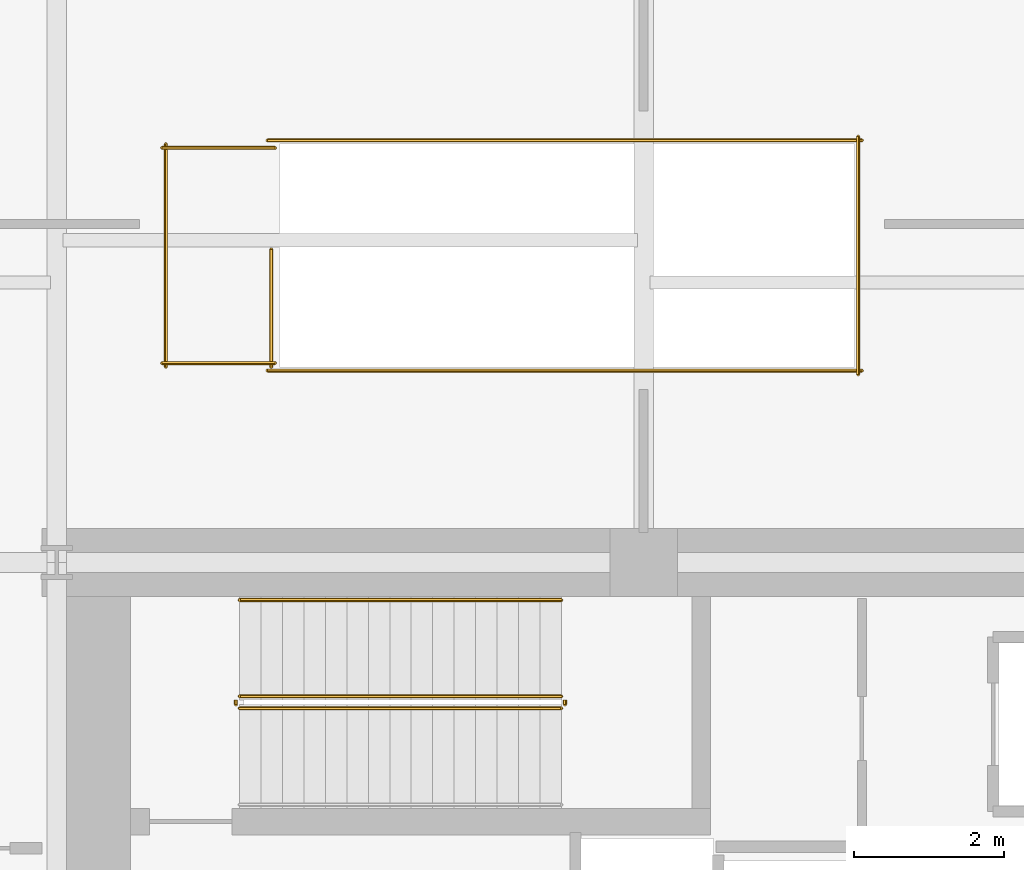
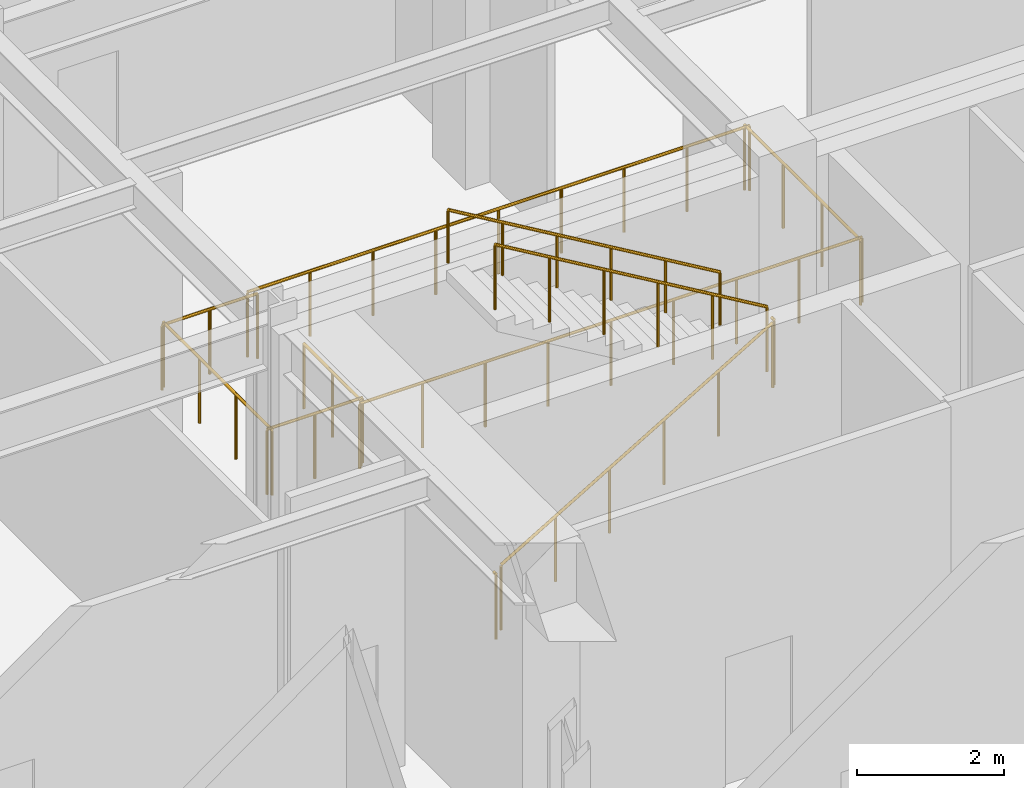
# One storey, part 14 of 14: 12 railings.
"""IFC4 building model written with IfcOpenShell, lengths in metres."""

import ifcopenshell
import ifcopenshell.guid

model = None  # the IFC model being written
_history = None  # IfcOwnerHistory: only IFC2X3 demands one
_inside = {}  # id of a spatial element -> (the spatial element, [elements in it])
_under = {}  # id of a project, library or spatial element -> (it, [spatial elements below it])
_declared = {}  # id of a project -> (the project, [libraries it declares])
_typed = {}  # id of a type object -> (the type object, [elements of that type])
_made_of = {}  # id of a material, layer set ... -> (it, [elements and type objects made of it])


def new_model(schema):
    """Start an empty IFC model of exactly this schema.

    Asked for "IFC4X3", IfcOpenShell would pick the latest addendum, in which some entities
    have other attributes; the version numbers below select the first issue.
    IFC2X3 requires an IfcOwnerHistory on every rooted entity: one is made here for all.
    """
    global model, _history
    if schema == "IFC4X3":
        model = ifcopenshell.file(schema_version=(4, 3, 0, 0))
    else:
        model = ifcopenshell.file(schema=schema)
    _inside.clear()
    _under.clear()
    _declared.clear()
    _typed.clear()
    _made_of.clear()
    _history = None
    if model.schema == "IFC2X3":
        org = make("IfcOrganization", Name="unknown")
        user = make(
            "IfcPersonAndOrganization",
            ThePerson=make("IfcPerson", FamilyName="unknown"),
            TheOrganization=org,
        )
        app = make(
            "IfcApplication",
            ApplicationDeveloper=org,
            Version="unknown",
            ApplicationFullName="unknown",
            ApplicationIdentifier="unknown",
        )
        _history = make(
            "IfcOwnerHistory",
            OwningUser=user,
            OwningApplication=app,
            ChangeAction="ADDED",
            CreationDate=0,
        )
    return model


def make(cls, **values):
    """One entity of the class cls with the attributes given. An attribute that is None is left unset."""
    return model.create_entity(
        cls, **{name: value for name, value in values.items() if value is not None}
    )


def rooted(cls, **values):
    """An entity with a GlobalId (a new one), such as an element, a storey or a relation."""
    return make(cls, GlobalId=ifcopenshell.guid.new(), OwnerHistory=_history, **values)


def si_unit(unit_type, name, prefix=None):
    """IfcSIUnit, for example si_unit("LENGTHUNIT", "METRE", prefix="MILLI")."""
    return make("IfcSIUnit", UnitType=unit_type, Prefix=prefix, Name=name)


def assignment(units):
    """IfcUnitAssignment: the units of a project."""
    return None if units is None else make("IfcUnitAssignment", Units=units)


def point(xyz):
    """IfcCartesianPoint."""
    return None if xyz is None else make("IfcCartesianPoint", Coordinates=xyz)


def direction(xyz):
    """IfcDirection."""
    return None if xyz is None else make("IfcDirection", DirectionRatios=xyz)


def frame(location, z_axis=None, x_axis=None):
    """IfcAxis2Placement3D, a coordinate frame: its origin and axes. An axis left out is left unset."""
    return make(
        "IfcAxis2Placement3D",
        Location=point(location),
        Axis=direction(z_axis),
        RefDirection=direction(x_axis),
    )


def frame_2d(location, x_axis=None):
    """IfcAxis2Placement2D, a coordinate frame in the plane: its origin and x axis."""
    return make(
        "IfcAxis2Placement2D", Location=point(location), RefDirection=direction(x_axis)
    )


def origin():
    """The frame at (0, 0, 0) with its axes left unset."""
    return frame((0.0, 0.0, 0.0))


def origin_2d():
    """The frame at (0, 0) in the plane with its x axis left unset."""
    return frame_2d((0.0, 0.0))


def place(relative_to, where):
    """IfcLocalPlacement: puts the frame where relative to a parent placement (None: the world)."""
    return make(
        "IfcLocalPlacement", PlacementRelTo=relative_to, RelativePlacement=where
    )


def context(
    kind, dimensions, precision=None, world=None, true_north=None, identifier=None
):
    """IfcGeometricRepresentationContext, for example the 3D "Model" context."""
    return make(
        "IfcGeometricRepresentationContext",
        ContextIdentifier=identifier,
        ContextType=kind,
        CoordinateSpaceDimension=dimensions,
        Precision=precision,
        WorldCoordinateSystem=world,
        TrueNorth=true_north,
    )


def subcontext(parent, identifier, kind, view, scale=None):
    """IfcGeometricRepresentationSubContext, for example "Body" below "Model"."""
    return make(
        "IfcGeometricRepresentationSubContext",
        ContextIdentifier=identifier,
        ContextType=kind,
        ParentContext=parent,
        TargetScale=scale,
        TargetView=view,
    )


def project(units=None, contexts=None):
    """IfcProject with its units and contexts."""
    return rooted(
        "IfcProject",
        Name="project",
        RepresentationContexts=contexts,
        UnitsInContext=assignment(units),
    )


def spatial(cls, under=None, at=None, **own):
    """A site, building, storey or space (cls), placed at a placement, below another one or the project."""
    s = rooted(cls, ObjectPlacement=at, **own)
    if under is not None:
        _under.setdefault(under.id(), (under, []))[1].append(s)
    return s


def profile(cls, at=None, kind="AREA", **sizes):
    """A parametric profile (cls). Its sizes go by their IFC names, for example OverallWidth=200.0."""
    return make(cls, ProfileType=kind, Position=at, **sizes)


def circle(**sizes):
    """IfcCircleProfileDef."""
    return profile("IfcCircleProfileDef", **sizes)


def extrude(swept, where, along, depth):
    """IfcExtrudedAreaSolid: the profile swept, set in the frame where, extruded along a direction by depth."""
    return make(
        "IfcExtrudedAreaSolid",
        SweptArea=swept,
        Position=where,
        ExtrudedDirection=direction(along),
        Depth=depth,
    )


def shape(context_of_items, identifier, shape_type, items):
    """IfcShapeRepresentation: the items that make up one representation, for example the "Body"."""
    return make(
        "IfcShapeRepresentation",
        ContextOfItems=context_of_items,
        RepresentationIdentifier=identifier,
        RepresentationType=shape_type,
        Items=items,
    )


def material(Name=None, Category=None):
    """IfcMaterial."""
    return make("IfcMaterial", Name=Name, Category=Category)


def made_of(thing, what):
    """Note that an element or type object is made of a material, layer set ...; save() writes the relation."""
    if what is not None:
        _made_of.setdefault(what.id(), (what, []))[1].append(thing)
    return thing


def type_object(cls, material=None, **own):
    """A type object (cls), such as IfcWallType, which elements share."""
    return made_of(rooted(cls, **own), material)


def element(
    cls,
    number,
    at=None,
    inside=None,
    cuts=None,
    type_object=None,
    material=None,
    context=None,
    identifier="Body",
    shape_type=None,
    held_by="IfcProductDefinitionShape",
    body=None,
    shapes=None,
    **own,
):
    """One element of the class cls, such as IfcWall. Its Tag is "e" and its number.

    at: its placement. inside: the storey or other place that contains it. cuts: it is an
    opening in that element (IfcRelVoidsElement). A single representation is given by context,
    identifier, shape_type and body (its items); several are given by shapes. held_by: the class
    of the entity that holds the representations. save() writes the other relations.
    """
    e = rooted(cls, Tag="e%d" % number, ObjectPlacement=at, **own)
    if body is not None:
        shapes = [shape(context, identifier, shape_type, body)]
    if shapes is not None:
        e.Representation = make(held_by, Representations=shapes)
    if inside is not None:
        _inside.setdefault(inside.id(), (inside, []))[1].append(e)
    if cuts is not None:
        rooted(
            "IfcRelVoidsElement", RelatingBuildingElement=cuts, RelatedOpeningElement=e
        )
    if type_object is not None:
        _typed.setdefault(type_object.id(), (type_object, []))[1].append(e)
    return made_of(e, material)


def aggregate(whole, parts):
    """IfcRelAggregates: a whole, such as a stair, and the parts it consists of."""
    return rooted("IfcRelAggregates", RelatingObject=whole, RelatedObjects=parts)


def save(model, path):
    """Write the relations noted so far, then the file.

    IfcRelAggregates (storeys below a building ...), IfcRelContainedInSpatialStructure (elements
    in a storey), IfcRelDefinesByType, IfcRelAssociatesMaterial and IfcRelDeclares: one each for
    every whole, place, type object, material and project.
    """
    for whole, parts in _under.values():
        aggregate(whole, parts)
    for where, things in _inside.values():
        rooted(
            "IfcRelContainedInSpatialStructure",
            RelatedElements=things,
            RelatingStructure=where,
        )
    for kind, things in _typed.values():
        rooted("IfcRelDefinesByType", RelatedObjects=things, RelatingType=kind)
    for what, things in _made_of.values():
        rooted("IfcRelAssociatesMaterial", RelatedObjects=things, RelatingMaterial=what)
    for by, libraries in _declared.values():
        rooted("IfcRelDeclares", RelatingContext=by, RelatedDefinitions=libraries)
    model.write(path)


model = new_model("IFC4")

# Units and contexts
model_context = context("Model", 3, precision=1e-05, world=origin(), true_north=direction((0.0, 1.0)))
body_context = subcontext(model_context, "Body", "Model", "MODEL_VIEW")
ifc_project = project(units=[si_unit("LENGTHUNIT", "METRE"), si_unit("AREAUNIT", "SQUARE_METRE"), si_unit("VOLUMEUNIT", "CUBIC_METRE"), si_unit("PLANEANGLEUNIT", "RADIAN"), si_unit("MASSUNIT", "GRAM", prefix="KILO")], contexts=[model_context])

# Site, building, storey
site_placement = place(None, origin())
site = spatial("IfcSite", under=ifc_project, at=site_placement, CompositionType="ELEMENT")
building_placement = place(site_placement, origin())
building = spatial("IfcBuilding", under=site, at=building_placement, Name="Veymaron Broadcast Tower", CompositionType="ELEMENT")
storey_placement = place(building_placement, frame((0.0, 0.0, 27.0)))
storey = spatial("IfcBuildingStorey", under=building, at=storey_placement, Name="L05", CompositionType="ELEMENT", Elevation=27.0)

# Railings
ifc_material_1 = material(Name="Brushed stainless steel AISI 304", Category="steel")
railing_type_1 = type_object("IfcRailingType", Name="RAIL-STAIR-HR", PredefinedType="HANDRAIL", material=ifc_material_1)
railing_1_placement = place(storey_placement, frame((45.705078125, 31.5, 2.86865234375)))
element("IfcRailing", 1, at=railing_1_placement, inside=storey, type_object=railing_type_1, Name="L05 ST1 stair handrail 2", PredefinedType="HANDRAIL", context=body_context, shape_type="SweptSolid", body=[
    extrude(circle(Radius=0.02392578125, at=origin_2d()), frame((0.0, 0.0, 0.8759765625), z_axis=(-0.860483042394, 0.0, 0.50947908078), x_axis=(0.0, -1.0, 0.0)), (0.0, 0.0, 1.0), 4.96826171875),
    extrude(circle(Radius=0.02099609375, at=origin_2d()), origin(), (0.0, 0.0, 1.0), 0.851806640625),
    extrude(circle(Radius=0.02099609375, at=origin_2d()), frame((-0.85498046875, 0.0, 0.50634765625)), (0.0, 0.0, 1.0), 0.851806640625),
    extrude(circle(Radius=0.02099609375, at=origin_2d()), frame((-1.7099609375, 0.0, 1.012451171875)), (0.0, 0.0, 1.0), 0.851806640625),
    extrude(circle(Radius=0.02099609375, at=origin_2d()), frame((-2.565185546875, 0.0, 1.518798828125)), (0.0, 0.0, 1.0), 0.851806640625),
    extrude(circle(Radius=0.02099609375, at=origin_2d()), frame((-3.420166015625, 0.0, 2.02490234375)), (0.0, 0.0, 1.0), 0.851806640625),
    extrude(circle(Radius=0.02099609375, at=origin_2d()), frame((-4.275146484375, 0.0, 2.53125)), (0.0, 0.0, 1.0), 0.851806640625),
])
ifc_material_2 = material(Name="Painted galvanized steel balustrade", Category="steel")
railing_type_2 = type_object("IfcRailingType", Name="RAIL-WELL-GRD", PredefinedType="GUARDRAIL", material=ifc_material_2)
railing_2_placement = place(storey_placement, frame((41.429931640625, 30.06005859375, 0.168701171875)))
element("IfcRailing", 2, at=railing_2_placement, inside=storey, type_object=railing_type_2, Name="L05 ST1 stair guard 1", PredefinedType="GUARDRAIL", context=body_context, shape_type="SweptSolid", body=[
    extrude(circle(Radius=0.02392578125, at=origin_2d()), frame((0.0, 0.0, 1.076171875), z_axis=(0.860483042394, 0.0, 0.50947908078), x_axis=(0.0, 1.0, 0.0)), (0.0, 0.0, 1.0), 4.96826171875),
    extrude(circle(Radius=0.02099609375, at=origin_2d()), origin(), (0.0, 0.0, 1.0), 1.052001953125),
    extrude(circle(Radius=0.02099609375, at=origin_2d()), frame((0.85498046875, 0.0, 0.50634765625)), (0.0, 0.0, 1.0), 1.052001953125),
    extrude(circle(Radius=0.02099609375, at=origin_2d()), frame((1.7099609375, 0.0, 1.012451171875)), (0.0, 0.0, 1.0), 1.052001953125),
    extrude(circle(Radius=0.02099609375, at=origin_2d()), frame((2.565185546875, 0.0, 1.518798828125)), (0.0, 0.0, 1.0), 1.052001953125),
    extrude(circle(Radius=0.02099609375, at=origin_2d()), frame((3.420166015625, 0.0, 2.02490234375)), (0.0, 0.0, 1.0), 1.052001953125),
    extrude(circle(Radius=0.02099609375, at=origin_2d()), frame((4.275146484375, 0.0, 2.53125)), (0.0, 0.0, 1.0), 1.052001953125),
])
railing_3_placement = place(storey_placement, frame((45.7548828125, 30.110107421875, 2.699951171875)))
element("IfcRailing", 3, at=railing_3_placement, inside=storey, type_object=railing_type_2, Name="L05 ST1 stair guard 2", PredefinedType="GUARDRAIL", context=body_context, shape_type="SweptSolid", body=[
    extrude(circle(Radius=0.02392578125, at=origin_2d()), frame((0.0, 0.0, 1.076171875), z_axis=(0.0, 1.0, 0.0), x_axis=(-1.0, 0.0, 0.0)), (0.0, 0.0, 1.0), 0.059814453125),
    extrude(circle(Radius=0.02099609375, at=origin_2d()), origin(), (0.0, 0.0, 1.0), 1.052001953125),
])
railing_4_placement = place(storey_placement, frame((45.705078125, 30.219970703125, 2.86865234375)))
element("IfcRailing", 4, at=railing_4_placement, inside=storey, type_object=railing_type_2, Name="L05 ST1 stair guard 3", PredefinedType="GUARDRAIL", context=body_context, shape_type="SweptSolid", body=[
    extrude(circle(Radius=0.02392578125, at=origin_2d()), frame((0.0, 0.0, 1.076171875), z_axis=(-0.860483042394, 0.0, 0.50947908078), x_axis=(0.0, -1.0, 0.0)), (0.0, 0.0, 1.0), 4.96826171875),
    extrude(circle(Radius=0.02099609375, at=origin_2d()), origin(), (0.0, 0.0, 1.0), 1.052001953125),
    extrude(circle(Radius=0.02099609375, at=origin_2d()), frame((-0.85498046875, 0.0, 0.50634765625)), (0.0, 0.0, 1.0), 1.052001953125),
    extrude(circle(Radius=0.02099609375, at=origin_2d()), frame((-1.7099609375, 0.0, 1.012451171875)), (0.0, 0.0, 1.0), 1.052001953125),
    extrude(circle(Radius=0.02099609375, at=origin_2d()), frame((-2.565185546875, 0.0, 1.518798828125)), (0.0, 0.0, 1.0), 1.052001953125),
    extrude(circle(Radius=0.02099609375, at=origin_2d()), frame((-3.420166015625, 0.0, 2.02490234375)), (0.0, 0.0, 1.0), 1.052001953125),
    extrude(circle(Radius=0.02099609375, at=origin_2d()), frame((-4.275146484375, 0.0, 2.53125)), (0.0, 0.0, 1.0), 1.052001953125),
])
railing_5_placement = place(storey_placement, frame((41.3798828125, 30.110107421875, 0.0)))
element("IfcRailing", 5, at=railing_5_placement, inside=storey, type_object=railing_type_2, Name="L05 ST1 stair guard 4", PredefinedType="GUARDRAIL", context=body_context, shape_type="SweptSolid", body=[
    extrude(circle(Radius=0.02392578125, at=origin_2d()), frame((0.0, 0.0, 1.076171875), z_axis=(0.0, 1.0, 0.0), x_axis=(-1.0, 0.0, 0.0)), (0.0, 0.0, 1.0), 0.059814453125),
    extrude(circle(Radius=0.02099609375, at=origin_2d()), origin(), (0.0, 0.0, 1.0), 1.052001953125),
])
railing_6_placement = place(storey_placement, frame((41.85009765625, 34.60009765625, 0.0)))
element("IfcRailing", 6, at=railing_6_placement, inside=storey, type_object=railing_type_2, Name="L05 STF1 top well guard 1", PredefinedType="GUARDRAIL", context=body_context, shape_type="SweptSolid", body=[
    extrude(circle(Radius=0.02392578125, at=origin_2d()), frame((0.0, 0.0, 1.076171875), z_axis=(0.0, 1.0, 0.0), x_axis=(-1.0, 0.0, 0.0)), (0.0, 0.0, 1.0), 1.559814453125),
    extrude(circle(Radius=0.02099609375, at=origin_2d()), origin(), (0.0, 0.0, 1.0), 1.052001953125),
    extrude(circle(Radius=0.02099609375, at=origin_2d()), frame((0.0, 0.77978515625, 0.0)), (0.0, 0.0, 1.0), 1.052001953125),
    extrude(circle(Radius=0.02099609375, at=origin_2d()), frame((0.0, 1.559814453125, 0.0)), (0.0, 0.0, 1.0), 1.052001953125),
])
for number, where, name in (
    (7, (41.800048828125, 34.550048828125, 0.0), "L05 STF1 top well guard 2"),
    (8, (41.800048828125, 37.610107421875, 0.0), "L05 STF1 top well guard 3"),
):
    element("IfcRailing", number, at=place(storey_placement, frame(where)), inside=storey, type_object=railing_type_2, Name=name, PredefinedType="GUARDRAIL", context=body_context, shape_type="SweptSolid", body=[
        extrude(circle(Radius=0.02392578125, at=origin_2d()), frame((0.0, 0.0, 1.076171875), z_axis=(1.0, 0.0, 0.0), x_axis=(0.0, 1.0, 0.0)), (0.0, 0.0, 1.0), 7.89990234375),
        extrude(circle(Radius=0.02099609375, at=origin_2d()), origin(), (0.0, 0.0, 1.0), 1.052001953125),
        extrude(circle(Radius=0.02099609375, at=origin_2d()), frame((0.987548828125, 0.0, 0.0)), (0.0, 0.0, 1.0), 1.052001953125),
        extrude(circle(Radius=0.02099609375, at=origin_2d()), frame((1.97509765625, 0.0, 0.0)), (0.0, 0.0, 1.0), 1.052001953125),
        extrude(circle(Radius=0.02099609375, at=origin_2d()), frame((2.96240234375, 0.0, 0.0)), (0.0, 0.0, 1.0), 1.052001953125),
        extrude(circle(Radius=0.02099609375, at=origin_2d()), frame((3.949951171875, 0.0, 0.0)), (0.0, 0.0, 1.0), 1.052001953125),
        extrude(circle(Radius=0.02099609375, at=origin_2d()), frame((4.9375, 0.0, 0.0)), (0.0, 0.0, 1.0), 1.052001953125),
        extrude(circle(Radius=0.02099609375, at=origin_2d()), frame((5.9248046875, 0.0, 0.0)), (0.0, 0.0, 1.0), 1.052001953125),
        extrude(circle(Radius=0.02099609375, at=origin_2d()), frame((6.912353515625, 0.0, 0.0)), (0.0, 0.0, 1.0), 1.052001953125),
        extrude(circle(Radius=0.02099609375, at=origin_2d()), frame((7.89990234375, 0.0, 0.0)), (0.0, 0.0, 1.0), 1.052001953125),
    ])
railing_7_placement = place(storey_placement, frame((49.64990234375, 34.5, 0.0)))
element("IfcRailing", 9, at=railing_7_placement, inside=storey, type_object=railing_type_2, Name="L05 STF1 top well guard 4", PredefinedType="GUARDRAIL", context=body_context, shape_type="SweptSolid", body=[
    extrude(circle(Radius=0.02392578125, at=origin_2d()), frame((0.0, 0.0, 1.076171875), z_axis=(0.0, 1.0, 0.0), x_axis=(-1.0, 0.0, 0.0)), (0.0, 0.0, 1.0), 3.159912109375),
    extrude(circle(Radius=0.02099609375, at=origin_2d()), origin(), (0.0, 0.0, 1.0), 1.052001953125),
    extrude(circle(Radius=0.02099609375, at=origin_2d()), frame((0.0, 1.05322265625, 0.0)), (0.0, 0.0, 1.0), 1.052001953125),
    extrude(circle(Radius=0.02099609375, at=origin_2d()), frame((0.0, 2.106689453125, 0.0)), (0.0, 0.0, 1.0), 1.052001953125),
    extrude(circle(Radius=0.02099609375, at=origin_2d()), frame((0.0, 3.159912109375, 0.0)), (0.0, 0.0, 1.0), 1.052001953125),
])
for number, where, name in (
    (10, (40.39990234375, 34.64990234375, 0.0), "L05 STF1 top well guard 5"),
    (11, (40.39990234375, 37.510009765625, 0.0), "L05 STF1 top well guard 6"),
):
    element("IfcRailing", number, at=place(storey_placement, frame(where)), inside=storey, type_object=railing_type_2, Name=name, PredefinedType="GUARDRAIL", context=body_context, shape_type="SweptSolid", body=[
        extrude(circle(Radius=0.02392578125, at=origin_2d()), frame((0.0, 0.0, 1.076171875), z_axis=(1.0, 0.0, 0.0), x_axis=(0.0, 1.0, 0.0)), (0.0, 0.0, 1.0), 1.5),
        extrude(circle(Radius=0.02099609375, at=origin_2d()), origin(), (0.0, 0.0, 1.0), 1.052001953125),
        extrude(circle(Radius=0.02099609375, at=origin_2d()), frame((0.75, 0.0, 0.0)), (0.0, 0.0, 1.0), 1.052001953125),
        extrude(circle(Radius=0.02099609375, at=origin_2d()), frame((1.5, 0.0, 0.0)), (0.0, 0.0, 1.0), 1.052001953125),
    ])
railing_8_placement = place(storey_placement, frame((40.449951171875, 34.60009765625, 0.0)))
element("IfcRailing", 12, at=railing_8_placement, inside=storey, type_object=railing_type_2, Name="L05 STF1 top well guard 7", PredefinedType="GUARDRAIL", context=body_context, shape_type="SweptSolid", body=[
    extrude(circle(Radius=0.02392578125, at=origin_2d()), frame((0.0, 0.0, 1.076171875), z_axis=(0.0, 1.0, 0.0), x_axis=(-1.0, 0.0, 0.0)), (0.0, 0.0, 1.0), 2.9599609375),
    extrude(circle(Radius=0.02099609375, at=origin_2d()), origin(), (0.0, 0.0, 1.0), 1.052001953125),
    extrude(circle(Radius=0.02099609375, at=origin_2d()), frame((0.0, 0.986572265625, 0.0)), (0.0, 0.0, 1.0), 1.052001953125),
    extrude(circle(Radius=0.02099609375, at=origin_2d()), frame((0.0, 1.973388671875, 0.0)), (0.0, 0.0, 1.0), 1.052001953125),
    extrude(circle(Radius=0.02099609375, at=origin_2d()), frame((0.0, 2.9599609375, 0.0)), (0.0, 0.0, 1.0), 1.052001953125),
])

save(model, "model.ifc")
